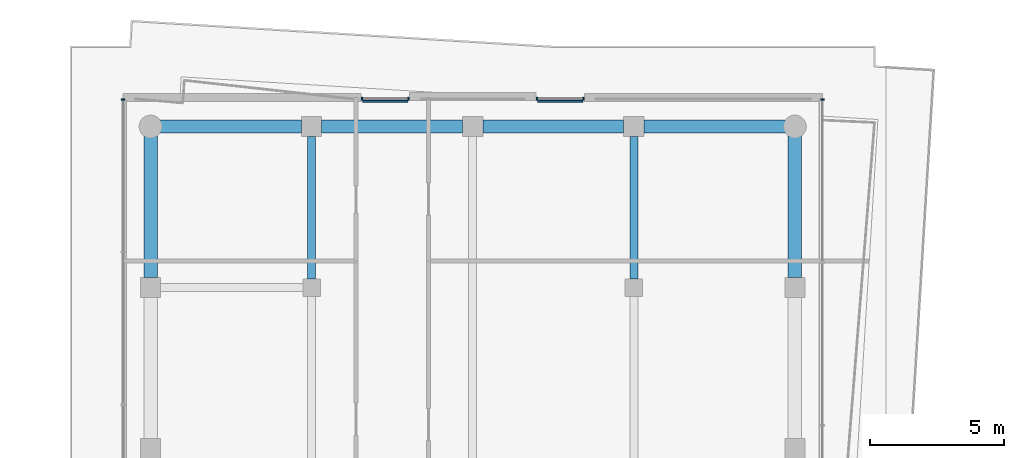
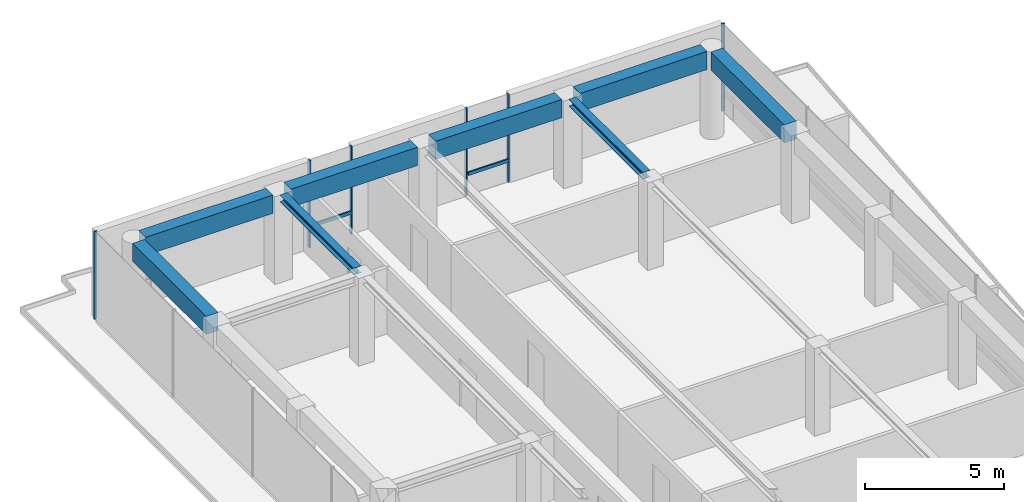
# One storey, part 12 of 18: 8 beams, 8 members, 4 elements without a shape of their own.
"""IFC4 building model written with IfcOpenShell, lengths in metres."""

from ifc_helpers import new_model, si_unit, direction, frame, origin, origin_2d, place, context, subcontext, project, spatial, rectangle, i_section, extrude, material, layer, layer_set, material_profile, profile_set, type_object, element, aggregate, save


model = new_model("IFC4")

# Units and contexts
model_context = context("Model", 3, precision=1e-05, world=origin(), true_north=direction((0.0, 1.0)))
body_context = subcontext(model_context, "Body", "Model", "MODEL_VIEW")
ifc_project = project(units=[si_unit("LENGTHUNIT", "METRE"), si_unit("AREAUNIT", "SQUARE_METRE"), si_unit("VOLUMEUNIT", "CUBIC_METRE"), si_unit("PLANEANGLEUNIT", "RADIAN"), si_unit("MASSUNIT", "GRAM", prefix="KILO")], contexts=[model_context])

# Site, building, storey
site_placement = place(None, origin())
site = spatial("IfcSite", under=ifc_project, at=site_placement, CompositionType="ELEMENT")
building_placement = place(site_placement, origin())
building = spatial("IfcBuilding", under=site, at=building_placement, Name="Welwitschia Terrace Campus", CompositionType="ELEMENT")
storey_placement = place(building_placement, frame((0.0, 0.0, 272.60009765625)))
storey = spatial("IfcBuildingStorey", under=building, at=storey_placement, Name="L60", CompositionType="ELEMENT", Elevation=272.60009765625)

# Beams
ifc_material_1 = material(Name="Steel S355", Category="steel")
ifc_material_profile_1 = material_profile(ifc_material_1, i_section(OverallWidth=0.300048828125, OverallDepth=0.300048828125, WebThickness=0.010986328125, FlangeThickness=0.01904296875, FilletRadius=0.027099609375, at=origin_2d()))
ifc_profile_set_1 = profile_set([ifc_material_profile_1], Name="Steel S355")
beam_type_1 = type_object("IfcBeamType", Name="Interior girder HE 300 B", PredefinedType="BEAM", material=ifc_profile_set_1)
for number, where, z_axis, x_axis, name in (
    (1, (6.0, 56.325439453125, 3.699951171875), (0.0, 1.0, 0.0), (-1.0, 0.0, 0.0), "Girder GB6"),
    (2, (18.0, 56.325439453125, 3.699951171875), (0.0, 1.0, 0.0), (-1.0, 0.0, 0.0), "Girder GB6"),
):
    element("IfcBeam", number, at=place(storey_placement, frame(where, z_axis=z_axis, x_axis=x_axis)), inside=storey, type_object=beam_type_1, Name=name, PredefinedType="BEAM", context=body_context, shape_type="SweptSolid", body=[
        extrude(i_section(OverallWidth=0.300048828125, OverallDepth=0.300048828125, WebThickness=0.010986328125, FlangeThickness=0.01904296875, FilletRadius=0.027099609375, at=origin_2d()), origin(), (0.0, 0.0, 1.0), 5.30908203125),
    ])

# Curtain wall, member
ifc_material_2 = material(Name="Bronze anodised aluminium", Category="aluminium")
ifc_layer = layer(ifc_material_2, 0.1201171875)
ifc_layer_set = layer_set([ifc_layer], Name="Bronze anodised aluminium")
curtain_wall_type = type_object("IfcCurtainWallType", Name="Curtain wall CW2 tower 6000", PredefinedType="NOTDEFINED", material=ifc_layer_set)
curtain_wall_1_placement = place(storey_placement, origin())
curtain_wall_1 = element("IfcCurtainWall", 3, at=curtain_wall_1_placement, inside=storey, type_object=curtain_wall_type, Name="CW L60.7.0", PredefinedType="NOTDEFINED")
ifc_material_3 = material(Name="Bronze anodised aluminium", Category="aluminium")
ifc_material_profile_2 = material_profile(ifc_material_3, rectangle(XDim=0.1201171875, YDim=0.06005859375, at=origin_2d()))
ifc_profile_set_2 = profile_set([ifc_material_profile_2], Name="Bronze anodised aluminium")
member_type_1 = type_object("IfcMemberType", Name="Mullion 60x120", PredefinedType="MULLION", material=ifc_profile_set_2)
member_1_placement = place(storey_placement, frame((25.030029296875, 63.0, 0.0), z_axis=(0.0, 0.0, 1.0), x_axis=(-1.0, 0.0, 0.0)))
member_1 = element("IfcMember", 4, at=member_1_placement, type_object=member_type_1, Name="Mullion L60.7.0.7", PredefinedType="MULLION", context=body_context, shape_type="SweptSolid", body=[
    extrude(rectangle(XDim=0.1201171875, YDim=0.06005859375, at=origin_2d()), origin(), (0.0, 0.0, 1.0), 3.849853515625),
])
aggregate(curtain_wall_1, [member_1])

# Curtain wall, members
curtain_wall_2_placement = place(storey_placement, origin())
curtain_wall_2 = element("IfcCurtainWall", 5, at=curtain_wall_2_placement, inside=storey, type_object=curtain_wall_type, Name="CW L60.8.S0", PredefinedType="NOTDEFINED")
member_2_placement = place(storey_placement, frame((16.12744140625, 63.030029296875, 0.0), z_axis=(0.0, 0.0, 1.0), x_axis=(0.0, -1.0, 0.0)))
member_2 = element("IfcMember", 6, at=member_2_placement, type_object=member_type_1, Name="Mullion L60.8.S0.0", PredefinedType="MULLION", context=body_context, shape_type="SweptSolid", body=[
    extrude(rectangle(XDim=0.1201171875, YDim=0.06005859375, at=origin_2d()), origin(), (0.0, 0.0, 1.0), 3.849853515625),
])
member_3_placement = place(storey_placement, frame((14.387451171875, 63.030029296875, 0.0), z_axis=(0.0, 0.0, 1.0), x_axis=(0.0, -1.0, 0.0)))
member_3 = element("IfcMember", 7, at=member_3_placement, type_object=member_type_1, Name="Mullion L60.8.S0.1", PredefinedType="MULLION", context=body_context, shape_type="SweptSolid", body=[
    extrude(rectangle(XDim=0.1201171875, YDim=0.06005859375, at=origin_2d()), origin(), (0.0, 0.0, 1.0), 3.849853515625),
])

curtain_wall_3_placement = place(storey_placement, origin())
curtain_wall_3 = element("IfcCurtainWall", 8, at=curtain_wall_3_placement, inside=storey, type_object=curtain_wall_type, Name="CW L60.8.S1", PredefinedType="NOTDEFINED")
member_4_placement = place(storey_placement, frame((9.612548828125, 63.030029296875, 0.0), z_axis=(0.0, 0.0, 1.0), x_axis=(0.0, -1.0, 0.0)))
member_4 = element("IfcMember", 9, at=member_4_placement, type_object=member_type_1, Name="Mullion L60.8.S1.0", PredefinedType="MULLION", context=body_context, shape_type="SweptSolid", body=[
    extrude(rectangle(XDim=0.1201171875, YDim=0.06005859375, at=origin_2d()), origin(), (0.0, 0.0, 1.0), 3.849853515625),
])
member_5_placement = place(storey_placement, frame((7.87255859375, 63.030029296875, 0.0), z_axis=(0.0, 0.0, 1.0), x_axis=(0.0, -1.0, 0.0)))
member_5 = element("IfcMember", 10, at=member_5_placement, type_object=member_type_1, Name="Mullion L60.8.S1.1", PredefinedType="MULLION", context=body_context, shape_type="SweptSolid", body=[
    extrude(rectangle(XDim=0.1201171875, YDim=0.06005859375, at=origin_2d()), origin(), (0.0, 0.0, 1.0), 3.849853515625),
])

# Curtain wall, member
curtain_wall_4_placement = place(storey_placement, origin())
curtain_wall_4 = element("IfcCurtainWall", 11, at=curtain_wall_4_placement, inside=storey, type_object=curtain_wall_type, Name="CW L60.9.0", PredefinedType="NOTDEFINED")
member_6_placement = place(storey_placement, frame((-1.030029296875, 63.0, 0.0), z_axis=(0.0, 0.0, 1.0), x_axis=(1.0, 0.0, 0.0)))
member_6 = element("IfcMember", 12, at=member_6_placement, type_object=member_type_1, Name="Mullion L60.9.0.0", PredefinedType="MULLION", context=body_context, shape_type="SweptSolid", body=[
    extrude(rectangle(XDim=0.1201171875, YDim=0.06005859375, at=origin_2d()), origin(), (0.0, 0.0, 1.0), 3.849853515625),
])
aggregate(curtain_wall_4, [member_6])

# Beams
ifc_material_4 = material(Name="Concrete C50/60", Category="concrete")
ifc_material_profile_3 = material_profile(ifc_material_4, rectangle(XDim=0.5, YDim=0.800048828125, at=origin_2d()))
ifc_profile_set_3 = profile_set([ifc_material_profile_3], Name="Concrete C50/60")
beam_type_2 = type_object("IfcBeamType", Name="Ring spandrel 500x800", PredefinedType="SPANDREL", material=ifc_profile_set_3)
for number, where, z_axis, x_axis, name in (
    (13, (24.0, 56.37548828125, 3.449951171875), (0.0, 1.0, 0.0), (-1.0, 0.0, 0.0), "Spandrel SP4"),
    (14, (23.655517578125, 62.0, 3.449951171875), (-1.0, 0.0, 0.0), (0.0, -1.0, 0.0), "Spandrel SP4"),
):
    element("IfcBeam", number, at=place(storey_placement, frame(where, z_axis=z_axis, x_axis=x_axis)), inside=storey, type_object=beam_type_2, Name=name, PredefinedType="SPANDREL", context=body_context, shape_type="SweptSolid", body=[
        extrude(rectangle(XDim=0.5, YDim=0.800048828125, at=origin_2d()), origin(), (0.0, 0.0, 1.0), 5.280029296875),
    ])
for number, where, z_axis, x_axis, name in (
    (15, (17.62451171875, 62.0, 3.449951171875), (-1.0, 0.0, 0.0), (0.0, -1.0, 0.0), "Spandrel SP4"),
    (16, (11.62451171875, 62.0, 3.449951171875), (-1.0, 0.0, 0.0), (0.0, -1.0, 0.0), "Spandrel SP4"),
):
    element("IfcBeam", number, at=place(storey_placement, frame(where, z_axis=z_axis, x_axis=x_axis)), inside=storey, type_object=beam_type_2, Name=name, PredefinedType="SPANDREL", context=body_context, shape_type="SweptSolid", body=[
        extrude(rectangle(XDim=0.5, YDim=0.800048828125, at=origin_2d()), origin(), (0.0, 0.0, 1.0), 5.2490234375),
    ])
for number, where, z_axis, x_axis, name in (
    (17, (5.62451171875, 62.0, 3.449951171875), (-1.0, 0.0, 0.0), (0.0, -1.0, 0.0), "Spandrel SP4"),
    (18, (0.0, 61.655517578125, 3.449951171875), (0.0, -1.0, 0.0), (1.0, 0.0, 0.0), "Spandrel SP4"),
):
    element("IfcBeam", number, at=place(storey_placement, frame(where, z_axis=z_axis, x_axis=x_axis)), inside=storey, type_object=beam_type_2, Name=name, PredefinedType="SPANDREL", context=body_context, shape_type="SweptSolid", body=[
        extrude(rectangle(XDim=0.5, YDim=0.800048828125, at=origin_2d()), origin(), (0.0, 0.0, 1.0), 5.280029296875),
    ])

# Member
ifc_material_5 = material(Name="Bronze anodised aluminium", Category="aluminium")
ifc_material_profile_4 = material_profile(ifc_material_5, rectangle(XDim=0.06005859375, YDim=0.14990234375, at=origin_2d()))
ifc_profile_set_4 = profile_set([ifc_material_profile_4], Name="Bronze anodised aluminium")
member_type_2 = type_object("IfcMemberType", Name="Transom 60x150", PredefinedType="USERDEFINED", material=ifc_profile_set_4)
member_7_placement = place(storey_placement, frame((16.097412109375, 62.93994140625, 1.0), z_axis=(-1.0, 0.0, 0.0), x_axis=(0.0, -1.0, 0.0)))
member_7 = element("IfcMember", 19, at=member_7_placement, type_object=member_type_2, Name="Transom L60.8.S0", ObjectType="TRANSOM", PredefinedType="USERDEFINED", context=body_context, shape_type="SweptSolid", body=[
    extrude(rectangle(XDim=0.06005859375, YDim=0.14990234375, at=origin_2d()), origin(), (0.0, 0.0, 1.0), 1.679931640625),
])

aggregate(curtain_wall_2, [member_2, member_3, member_7])

member_8_placement = place(storey_placement, frame((9.58251953125, 62.93994140625, 1.0), z_axis=(-1.0, 0.0, 0.0), x_axis=(0.0, -1.0, 0.0)))
member_8 = element("IfcMember", 20, at=member_8_placement, type_object=member_type_2, Name="Transom L60.8.S1", ObjectType="TRANSOM", PredefinedType="USERDEFINED", context=body_context, shape_type="SweptSolid", body=[
    extrude(rectangle(XDim=0.06005859375, YDim=0.14990234375, at=origin_2d()), origin(), (0.0, 0.0, 1.0), 1.679931640625),
])

aggregate(curtain_wall_3, [member_4, member_5, member_8])

save(model, "model.ifc")
